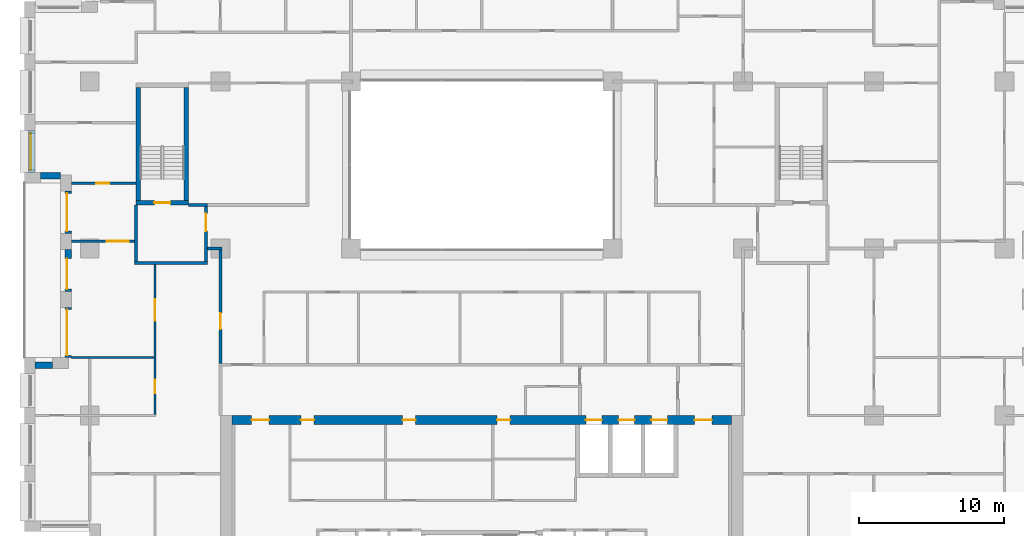
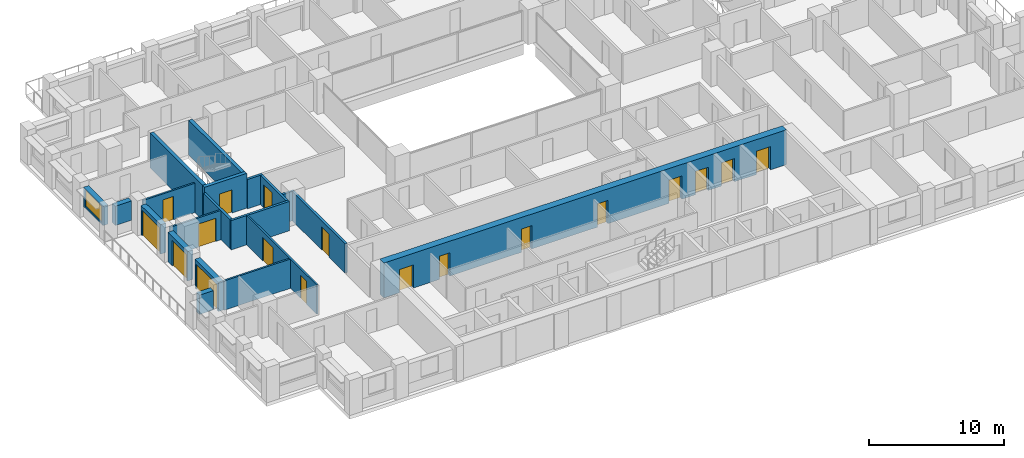
# One storey, part 9 of 17: 20 walls, 18 doors, 1 window, 19 openings.
"""IFC4 building model written with IfcOpenShell, lengths in metres."""

import ifcopenshell
import ifcopenshell.guid

model = None  # the IFC model being written
_history = None  # IfcOwnerHistory: only IFC2X3 demands one
_inside = {}  # id of a spatial element -> (the spatial element, [elements in it])
_under = {}  # id of a project, library or spatial element -> (it, [spatial elements below it])
_declared = {}  # id of a project -> (the project, [libraries it declares])
_typed = {}  # id of a type object -> (the type object, [elements of that type])
_made_of = {}  # id of a material, layer set ... -> (it, [elements and type objects made of it])


def new_model(schema):
    """Start an empty IFC model of exactly this schema.

    Asked for "IFC4X3", IfcOpenShell would pick the latest addendum, in which some entities
    have other attributes; the version numbers below select the first issue.
    IFC2X3 requires an IfcOwnerHistory on every rooted entity: one is made here for all.
    """
    global model, _history
    if schema == "IFC4X3":
        model = ifcopenshell.file(schema_version=(4, 3, 0, 0))
    else:
        model = ifcopenshell.file(schema=schema)
    _inside.clear()
    _under.clear()
    _declared.clear()
    _typed.clear()
    _made_of.clear()
    _history = None
    if model.schema == "IFC2X3":
        org = make("IfcOrganization", Name="unknown")
        user = make(
            "IfcPersonAndOrganization",
            ThePerson=make("IfcPerson", FamilyName="unknown"),
            TheOrganization=org,
        )
        app = make(
            "IfcApplication",
            ApplicationDeveloper=org,
            Version="unknown",
            ApplicationFullName="unknown",
            ApplicationIdentifier="unknown",
        )
        _history = make(
            "IfcOwnerHistory",
            OwningUser=user,
            OwningApplication=app,
            ChangeAction="ADDED",
            CreationDate=0,
        )
    return model


def make(cls, **values):
    """One entity of the class cls with the attributes given. An attribute that is None is left unset."""
    return model.create_entity(
        cls, **{name: value for name, value in values.items() if value is not None}
    )


def rooted(cls, **values):
    """An entity with a GlobalId (a new one), such as an element, a storey or a relation."""
    return make(cls, GlobalId=ifcopenshell.guid.new(), OwnerHistory=_history, **values)


def si_unit(unit_type, name, prefix=None):
    """IfcSIUnit, for example si_unit("LENGTHUNIT", "METRE", prefix="MILLI")."""
    return make("IfcSIUnit", UnitType=unit_type, Prefix=prefix, Name=name)


def assignment(units):
    """IfcUnitAssignment: the units of a project."""
    return None if units is None else make("IfcUnitAssignment", Units=units)


def point(xyz):
    """IfcCartesianPoint."""
    return None if xyz is None else make("IfcCartesianPoint", Coordinates=xyz)


def direction(xyz):
    """IfcDirection."""
    return None if xyz is None else make("IfcDirection", DirectionRatios=xyz)


def frame(location, z_axis=None, x_axis=None):
    """IfcAxis2Placement3D, a coordinate frame: its origin and axes. An axis left out is left unset."""
    return make(
        "IfcAxis2Placement3D",
        Location=point(location),
        Axis=direction(z_axis),
        RefDirection=direction(x_axis),
    )


def frame_2d(location, x_axis=None):
    """IfcAxis2Placement2D, a coordinate frame in the plane: its origin and x axis."""
    return make(
        "IfcAxis2Placement2D", Location=point(location), RefDirection=direction(x_axis)
    )


def origin():
    """The frame at (0, 0, 0) with its axes left unset."""
    return frame((0.0, 0.0, 0.0))


def place(relative_to, where):
    """IfcLocalPlacement: puts the frame where relative to a parent placement (None: the world)."""
    return make(
        "IfcLocalPlacement", PlacementRelTo=relative_to, RelativePlacement=where
    )


def context(
    kind, dimensions, precision=None, world=None, true_north=None, identifier=None
):
    """IfcGeometricRepresentationContext, for example the 3D "Model" context."""
    return make(
        "IfcGeometricRepresentationContext",
        ContextIdentifier=identifier,
        ContextType=kind,
        CoordinateSpaceDimension=dimensions,
        Precision=precision,
        WorldCoordinateSystem=world,
        TrueNorth=true_north,
    )


def subcontext(parent, identifier, kind, view, scale=None):
    """IfcGeometricRepresentationSubContext, for example "Body" below "Model"."""
    return make(
        "IfcGeometricRepresentationSubContext",
        ContextIdentifier=identifier,
        ContextType=kind,
        ParentContext=parent,
        TargetScale=scale,
        TargetView=view,
    )


def project(units=None, contexts=None):
    """IfcProject with its units and contexts."""
    return rooted(
        "IfcProject",
        Name="project",
        RepresentationContexts=contexts,
        UnitsInContext=assignment(units),
    )


def spatial(cls, under=None, at=None, **own):
    """A site, building, storey or space (cls), placed at a placement, below another one or the project."""
    s = rooted(cls, ObjectPlacement=at, **own)
    if under is not None:
        _under.setdefault(under.id(), (under, []))[1].append(s)
    return s


def profile(cls, at=None, kind="AREA", **sizes):
    """A parametric profile (cls). Its sizes go by their IFC names, for example OverallWidth=200.0."""
    return make(cls, ProfileType=kind, Position=at, **sizes)


def rectangle(**sizes):
    """IfcRectangleProfileDef."""
    return profile("IfcRectangleProfileDef", **sizes)


def extrude(swept, where, along, depth):
    """IfcExtrudedAreaSolid: the profile swept, set in the frame where, extruded along a direction by depth."""
    return make(
        "IfcExtrudedAreaSolid",
        SweptArea=swept,
        Position=where,
        ExtrudedDirection=direction(along),
        Depth=depth,
    )


def shape(context_of_items, identifier, shape_type, items):
    """IfcShapeRepresentation: the items that make up one representation, for example the "Body"."""
    return make(
        "IfcShapeRepresentation",
        ContextOfItems=context_of_items,
        RepresentationIdentifier=identifier,
        RepresentationType=shape_type,
        Items=items,
    )


def material(Name=None, Category=None):
    """IfcMaterial."""
    return make("IfcMaterial", Name=Name, Category=Category)


def layer(
    of_material, thickness, ventilated=None, Name=None, Category=None, Priority=None
):
    """IfcMaterialLayer: one layer of a wall or slab, of a material (None: an air gap)."""
    return make(
        "IfcMaterialLayer",
        Material=of_material,
        LayerThickness=thickness,
        IsVentilated=ventilated,
        Name=Name,
        Category=Category,
        Priority=Priority,
    )


def layer_set(layers, Name=None):
    """IfcMaterialLayerSet."""
    return make("IfcMaterialLayerSet", MaterialLayers=layers, LayerSetName=Name)


def made_of(thing, what):
    """Note that an element or type object is made of a material, layer set ...; save() writes the relation."""
    if what is not None:
        _made_of.setdefault(what.id(), (what, []))[1].append(thing)
    return thing


def type_object(cls, material=None, **own):
    """A type object (cls), such as IfcWallType, which elements share."""
    return made_of(rooted(cls, **own), material)


def element(
    cls,
    number,
    at=None,
    inside=None,
    cuts=None,
    type_object=None,
    material=None,
    context=None,
    identifier="Body",
    shape_type=None,
    held_by="IfcProductDefinitionShape",
    body=None,
    shapes=None,
    **own,
):
    """One element of the class cls, such as IfcWall. Its Tag is "e" and its number.

    at: its placement. inside: the storey or other place that contains it. cuts: it is an
    opening in that element (IfcRelVoidsElement). A single representation is given by context,
    identifier, shape_type and body (its items); several are given by shapes. held_by: the class
    of the entity that holds the representations. save() writes the other relations.
    """
    e = rooted(cls, Tag="e%d" % number, ObjectPlacement=at, **own)
    if body is not None:
        shapes = [shape(context, identifier, shape_type, body)]
    if shapes is not None:
        e.Representation = make(held_by, Representations=shapes)
    if inside is not None:
        _inside.setdefault(inside.id(), (inside, []))[1].append(e)
    if cuts is not None:
        rooted(
            "IfcRelVoidsElement", RelatingBuildingElement=cuts, RelatedOpeningElement=e
        )
    if type_object is not None:
        _typed.setdefault(type_object.id(), (type_object, []))[1].append(e)
    return made_of(e, material)


def fill(opening, filler):
    """IfcRelFillsElement: the door or window that sits in an opening."""
    return rooted(
        "IfcRelFillsElement",
        RelatingOpeningElement=opening,
        RelatedBuildingElement=filler,
    )


def aggregate(whole, parts):
    """IfcRelAggregates: a whole, such as a stair, and the parts it consists of."""
    return rooted("IfcRelAggregates", RelatingObject=whole, RelatedObjects=parts)


def save(model, path):
    """Write the relations noted so far, then the file.

    IfcRelAggregates (storeys below a building ...), IfcRelContainedInSpatialStructure (elements
    in a storey), IfcRelDefinesByType, IfcRelAssociatesMaterial and IfcRelDeclares: one each for
    every whole, place, type object, material and project.
    """
    for whole, parts in _under.values():
        aggregate(whole, parts)
    for where, things in _inside.values():
        rooted(
            "IfcRelContainedInSpatialStructure",
            RelatedElements=things,
            RelatingStructure=where,
        )
    for kind, things in _typed.values():
        rooted("IfcRelDefinesByType", RelatedObjects=things, RelatingType=kind)
    for what, things in _made_of.values():
        rooted("IfcRelAssociatesMaterial", RelatedObjects=things, RelatingMaterial=what)
    for by, libraries in _declared.values():
        rooted("IfcRelDeclares", RelatingContext=by, RelatedDefinitions=libraries)
    model.write(path)


model = new_model("IFC4")

# Units and contexts
model_context = context("Model", 3, precision=1e-05, world=origin(), true_north=direction((0.0, 1.0)))
body_context = subcontext(model_context, "Body", "Model", "MODEL_VIEW")
ifc_project = project(units=[si_unit("LENGTHUNIT", "METRE"), si_unit("AREAUNIT", "SQUARE_METRE"), si_unit("VOLUMEUNIT", "CUBIC_METRE"), si_unit("PLANEANGLEUNIT", "RADIAN"), si_unit("MASSUNIT", "GRAM", prefix="KILO")], contexts=[model_context])

# Site, building, storey
site_placement = place(None, origin())
site = spatial("IfcSite", under=ifc_project, at=site_placement, CompositionType="ELEMENT")
building_placement = place(site_placement, origin())
building = spatial("IfcBuilding", under=site, at=building_placement, Name="Brigalow Station Residences", CompositionType="ELEMENT")
storey_placement = place(building_placement, frame((0.0, 0.0, 127.64990234375)))
storey = spatial("IfcBuildingStorey", under=building, at=storey_placement, Name="L37", CompositionType="ELEMENT", Elevation=127.64990234375)

# Wall, opening, window
ifc_material_1 = material(Name="Clay brick masonry", Category="masonry")
ifc_layer_1 = layer(ifc_material_1, 0.449951171875)
ifc_layer_set_1 = layer_set([ifc_layer_1], Name="BRICK INFILL WALL 450")
wall_type_1 = type_object("IfcWallType", Name="BRICK INFILL WALL 450", PredefinedType="SOLIDWALL", material=ifc_layer_set_1)
wall_1_placement = place(storey_placement, frame((5.02490234375, 32.116943359375, 0.900146484375), z_axis=(0.0, 0.0, 1.0), x_axis=(0.0, -1.0, 0.0)))
wall_1 = element("IfcWall", 1, at=wall_1_placement, inside=storey, type_object=wall_type_1, Name="L37/ewall/W-L37-41", PredefinedType="SOLIDWALL", context=body_context, shape_type="SweptSolid", body=[
    extrude(rectangle(XDim=2.866943359375, YDim=0.449951171875, at=frame_2d((1.43359375, 0.0))), origin(), (0.0, 0.0, 1.0), 1.75),
])
opening_1_placement = place(wall_1_placement, frame((0.18359375, 0.0, 0.14990234375)))
opening_1 = element("IfcOpeningElement", 2, at=opening_1_placement, cuts=wall_1, Name="Opening WT-5", PredefinedType="OPENING", context=body_context, shape_type="SweptSolid", body=[
    extrude(rectangle(XDim=2.5, YDim=1.5, at=frame_2d((1.25, 0.75))), frame((0.0, 0.23486328125, 0.0), z_axis=(0.0, -1.0, 0.0), x_axis=(1.0, 0.0, 0.0)), (0.0, 0.0, 1.0), 0.469970703125),
])
ifc_material_2 = material(Name="Anodised aluminium frame with double glazing", Category="aluminium")
window_type = type_object("IfcWindowType", Name="WINDOW 2500x1500", PartitioningType="SINGLE_PANEL", PredefinedType="WINDOW", material=ifc_material_2)
window_placement = place(opening_1_placement, origin())
window = element("IfcWindow", 3, at=window_placement, inside=storey, type_object=window_type, Name="L37/window/W-L37-41", OverallHeight=1.5, OverallWidth=2.5, PartitioningType="SINGLE_PANEL", PredefinedType="WINDOW", context=body_context, shape_type="SweptSolid", body=[
    extrude(rectangle(XDim=2.5, YDim=1.5, at=frame_2d((1.25, 0.75))), frame((0.0, -0.06494140625, 0.0), z_axis=(0.0, -1.0, 0.0), x_axis=(1.0, 0.0, 0.0)), (0.0, 0.0, 1.0), 0.06005859375),
])
fill(opening_1, window)

# Wall
wall_2_placement = place(storey_placement, frame((5.60009765625, 29.02490234375, 0.900146484375), z_axis=(0.0, 0.0, 1.0), x_axis=(1.0, 0.0, 0.0)))
element("IfcWall", 4, at=wall_2_placement, inside=storey, type_object=wall_type_1, Name="L37/ewall/W-L37-42", PredefinedType="SOLIDWALL", context=body_context, shape_type="SweptSolid", body=[
    extrude(rectangle(XDim=1.39990234375, YDim=0.449951171875, at=frame_2d((0.699951171875, 0.0))), origin(), (0.0, 0.0, 1.0), 1.75),
])

# Wall, opening, door
wall_3_placement = place(storey_placement, frame((7.52490234375, 27.949951171875, 0.0), z_axis=(0.0, 0.0, 1.0), x_axis=(0.0, -1.0, 0.0)))
wall_3 = element("IfcWall", 5, at=wall_3_placement, inside=storey, type_object=wall_type_1, Name="L37/ewall/W-L37-43", PredefinedType="SOLIDWALL", context=body_context, shape_type="SweptSolid", body=[
    extrude(rectangle(XDim=2.89990234375, YDim=0.449951171875, at=frame_2d((1.449951171875, 0.0))), origin(), (0.0, 0.0, 1.0), 2.650146484375),
])
opening_2_placement = place(wall_3_placement, frame((0.14990234375, 0.0, 0.0)))
opening_2 = element("IfcOpeningElement", 6, at=opening_2_placement, cuts=wall_3, Name="Opening D-B2600", PredefinedType="OPENING", context=body_context, shape_type="SweptSolid", body=[
    extrude(rectangle(XDim=2.60009765625, YDim=2.300048828125, at=frame_2d((1.300048828125, 1.14990234375))), frame((0.0, 0.23486328125, 0.0), z_axis=(0.0, -1.0, 0.0), x_axis=(1.0, 0.0, 0.0)), (0.0, 0.0, 1.0), 0.469970703125),
])
ifc_material_3 = material(Name="Anodised aluminium frame with double glazing", Category="aluminium")
door_type_1 = type_object("IfcDoorType", Name="BALCONY SLIDING DOOR 2600x2300", OperationType="SLIDING_TO_LEFT", PredefinedType="DOOR", material=ifc_material_3)
door_1_placement = place(opening_2_placement, origin())
door_1 = element("IfcDoor", 7, at=door_1_placement, inside=storey, type_object=door_type_1, Name="L37/balcony-door/W-L37-43", OperationType="SLIDING_TO_LEFT", OverallHeight=2.300048828125, OverallWidth=2.60009765625, PredefinedType="DOOR", context=body_context, shape_type="SweptSolid", body=[
    extrude(rectangle(XDim=2.60009765625, YDim=2.300048828125, at=frame_2d((1.300048828125, 1.14990234375))), frame((0.0, -0.06982421875, 0.0), z_axis=(0.0, -1.0, 0.0), x_axis=(1.0, 0.0, 0.0)), (0.0, 0.0, 1.0), 0.050048828125),
])
fill(opening_2, door_1)

wall_4_placement = place(storey_placement, frame((7.52490234375, 23.949951171875, 0.0), z_axis=(0.0, 0.0, 1.0), x_axis=(0.0, -1.0, 0.0)))
wall_4 = element("IfcWall", 8, at=wall_4_placement, inside=storey, type_object=wall_type_1, Name="L37/ewall/W-L37-44", PredefinedType="SOLIDWALL", context=body_context, shape_type="SweptSolid", body=[
    extrude(rectangle(XDim=2.89990234375, YDim=0.449951171875, at=frame_2d((1.449951171875, 0.0))), origin(), (0.0, 0.0, 1.0), 2.650146484375),
])
opening_3_placement = place(wall_4_placement, frame((0.635009765625, 0.0, 0.0)))
opening_3 = element("IfcOpeningElement", 9, at=opening_3_placement, cuts=wall_4, Name="Opening D-B2100", PredefinedType="OPENING", context=body_context, shape_type="SweptSolid", body=[
    extrude(rectangle(XDim=2.10009765625, YDim=2.300048828125, at=frame_2d((1.050048828125, 1.14990234375))), frame((0.0, 0.23486328125, 0.0), z_axis=(0.0, -1.0, 0.0), x_axis=(1.0, 0.0, 0.0)), (0.0, 0.0, 1.0), 0.469970703125),
])
ifc_material_4 = material(Name="Anodised aluminium frame with double glazing", Category="aluminium")
door_type_2 = type_object("IfcDoorType", Name="BALCONY SLIDING DOOR 2100x2300", OperationType="SLIDING_TO_LEFT", PredefinedType="DOOR", material=ifc_material_4)
door_2_placement = place(opening_3_placement, origin())
door_2 = element("IfcDoor", 10, at=door_2_placement, inside=storey, type_object=door_type_2, Name="L37/balcony-door/W-L37-44", OperationType="SLIDING_TO_LEFT", OverallHeight=2.300048828125, OverallWidth=2.10009765625, PredefinedType="DOOR", context=body_context, shape_type="SweptSolid", body=[
    extrude(rectangle(XDim=2.10009765625, YDim=2.300048828125, at=frame_2d((1.050048828125, 1.14990234375))), frame((0.0, -0.06982421875, 0.0), z_axis=(0.0, -1.0, 0.0), x_axis=(1.0, 0.0, 0.0)), (0.0, 0.0, 1.0), 0.050048828125),
])
fill(opening_3, door_2)

wall_5_placement = place(storey_placement, frame((7.52490234375, 19.949951171875, 0.0), z_axis=(0.0, 0.0, 1.0), x_axis=(0.0, -1.0, 0.0)))
wall_5 = element("IfcWall", 11, at=wall_5_placement, inside=storey, type_object=wall_type_1, Name="L37/ewall/W-L37-45", PredefinedType="SOLIDWALL", context=body_context, shape_type="SweptSolid", body=[
    extrude(rectangle(XDim=3.449951171875, YDim=0.449951171875, at=frame_2d((1.72509765625, 0.0))), origin(), (0.0, 0.0, 1.0), 2.650146484375),
])
opening_4_placement = place(wall_5_placement, frame((0.14990234375, 0.0, 0.0)))
opening_4 = element("IfcOpeningElement", 12, at=opening_4_placement, cuts=wall_5, Name="Opening D-B3150", PredefinedType="OPENING", context=body_context, shape_type="SweptSolid", body=[
    extrude(rectangle(XDim=3.14990234375, YDim=2.300048828125, at=frame_2d((1.574951171875, 1.14990234375))), frame((0.0, 0.23486328125, 0.0), z_axis=(0.0, -1.0, 0.0), x_axis=(1.0, 0.0, 0.0)), (0.0, 0.0, 1.0), 0.469970703125),
])
ifc_material_5 = material(Name="Anodised aluminium frame with double glazing", Category="aluminium")
door_type_3 = type_object("IfcDoorType", Name="BALCONY SLIDING DOOR 3150x2300", OperationType="SLIDING_TO_LEFT", PredefinedType="DOOR", material=ifc_material_5)
door_3_placement = place(opening_4_placement, origin())
door_3 = element("IfcDoor", 13, at=door_3_placement, inside=storey, type_object=door_type_3, Name="L37/balcony-door/W-L37-45", OperationType="SLIDING_TO_LEFT", OverallHeight=2.300048828125, OverallWidth=3.14990234375, PredefinedType="DOOR", context=body_context, shape_type="SweptSolid", body=[
    extrude(rectangle(XDim=3.14990234375, YDim=2.300048828125, at=frame_2d((1.574951171875, 1.14990234375))), frame((0.0, -0.06982421875, 0.0), z_axis=(0.0, -1.0, 0.0), x_axis=(1.0, 0.0, 0.0)), (0.0, 0.0, 1.0), 0.050048828125),
])
fill(opening_4, door_3)

# Wall
wall_6_placement = place(storey_placement, frame((6.449951171875, 15.97509765625, 0.900146484375), z_axis=(0.0, 0.0, 1.0), x_axis=(-1.0, 0.0, 0.0)))
element("IfcWall", 14, at=wall_6_placement, inside=storey, type_object=wall_type_1, Name="L37/ewall/W-L37-46", PredefinedType="SOLIDWALL", context=body_context, shape_type="SweptSolid", body=[
    extrude(rectangle(XDim=1.199951171875, YDim=0.449951171875, at=frame_2d((0.60009765625, 0.0))), origin(), (0.0, 0.0, 1.0), 1.75),
])

# Wall, opening, door
ifc_material_6 = material(Name="Concrete C65", Category="concrete")
ifc_layer_2 = layer(ifc_material_6, 0.300048828125)
ifc_layer_set_2 = layer_set([ifc_layer_2], Name="CORE SHEAR WALL 300 C65")
wall_type_2 = type_object("IfcWallType", Name="CORE SHEAR WALL 300 C65", PredefinedType="SHEAR", material=ifc_layer_set_2)
wall_7_placement = place(storey_placement, frame((12.199951171875, 27.14990234375, 0.0), z_axis=(0.0, 0.0, 1.0), x_axis=(1.0, 0.0, 0.0)))
wall_7 = element("IfcWall", 15, at=wall_7_placement, inside=storey, type_object=wall_type_2, Name="CORE WALL ST-S1-S L37", PredefinedType="SHEAR", context=body_context, shape_type="SweptSolid", body=[
    extrude(rectangle(XDim=3.60009765625, YDim=0.300048828125, at=frame_2d((1.800048828125, 0.0))), origin(), (0.0, 0.0, 1.0), 3.150146484375),
])
opening_5_placement = place(wall_7_placement, frame((1.25, 0.0, 0.0)))
opening_5 = element("IfcOpeningElement", 16, at=opening_5_placement, cuts=wall_7, Name="Opening D-5015", PredefinedType="OPENING", context=body_context, shape_type="SweptSolid", body=[
    extrude(rectangle(XDim=1.10009765625, YDim=2.10009765625, at=frame_2d((0.550048828125, 1.050048828125))), frame((0.0, 0.16015625, 0.0), z_axis=(0.0, -1.0, 0.0), x_axis=(1.0, 0.0, 0.0)), (0.0, 0.0, 1.0), 0.320068359375),
])
ifc_material_7 = material(Name="Steel fire door leaf in steel frame", Category="steel")
door_type_4 = type_object("IfcDoorType", Name="STAIR DOOR 1100 x 2100 FD60S", OperationType="SINGLE_SWING_LEFT", PredefinedType="DOOR", material=ifc_material_7)
door_4_placement = place(opening_5_placement, origin())
door_4 = element("IfcDoor", 17, at=door_4_placement, inside=storey, type_object=door_type_4, Name="D-5015", OperationType="SINGLE_SWING_LEFT", OverallHeight=2.10009765625, OverallWidth=1.10009765625, PredefinedType="DOOR", context=body_context, shape_type="SweptSolid", body=[
    extrude(rectangle(XDim=1.10009765625, YDim=2.10009765625, at=frame_2d((0.550048828125, 1.050048828125))), frame((0.0, 0.02490234375, 0.0), z_axis=(0.0, -1.0, 0.0), x_axis=(1.0, 0.0, 0.0)), (0.0, 0.0, 1.0), 0.050048828125),
])
fill(opening_5, door_4)

# Walls
for number, where, z_axis, x_axis, name in (
    (18, (12.35009765625, 27.300048828125, 0.0), (0.0, 0.0, 1.0), (0.0, 1.0, 0.0), "CORE WALL ST-S1-W L37"),
    (19, (15.64990234375, 27.300048828125, 0.0), (0.0, 0.0, 1.0), (0.0, 1.0, 0.0), "CORE WALL ST-S1-E L37"),
):
    element("IfcWall", number, at=place(storey_placement, frame(where, z_axis=z_axis, x_axis=x_axis)), inside=storey, type_object=wall_type_2, Name=name, PredefinedType="SHEAR", context=body_context, shape_type="SweptSolid", body=[
        extrude(rectangle(XDim=7.800048828125, YDim=0.300048828125, at=frame_2d((3.89990234375, 0.0))), origin(), (0.0, 0.0, 1.0), 3.150146484375),
    ])

# Wall, openings, doors
ifc_material_8 = material(Name="Concrete C65", Category="concrete")
ifc_layer_3 = layer(ifc_material_8, 0.60009765625)
ifc_layer_set_3 = layer_set([ifc_layer_3], Name="CORE SHEAR WALL 600 C65")
wall_type_3 = type_object("IfcWallType", Name="CORE SHEAR WALL 600 C65", PredefinedType="SHEAR", material=ifc_layer_set_3)
wall_8_placement = place(storey_placement, frame((18.800048828125, 12.199951171875, 0.0), z_axis=(0.0, 0.0, 1.0), x_axis=(1.0, 0.0, 0.0)))
wall_8 = element("IfcWall", 20, at=wall_8_placement, inside=storey, type_object=wall_type_3, Name="CORE WALL OUT-N L37", PredefinedType="SHEAR", context=body_context, shape_type="SweptSolid", body=[
    extrude(rectangle(XDim=34.39990234375, YDim=0.60009765625, at=frame_2d((17.199951171875, 0.0))), origin(), (0.0, 0.0, 1.0), 3.150146484375),
])
opening_6_placement = place(wall_8_placement, frame((24.375, 0.0, 0.0)))
opening_6 = element("IfcOpeningElement", 21, at=opening_6_placement, cuts=wall_8, Name="Opening LD-LF1", PredefinedType="OPENING", context=body_context, shape_type="SweptSolid", body=[
    extrude(rectangle(XDim=1.10009765625, YDim=2.10009765625, at=frame_2d((0.550048828125, 1.050048828125))), frame((0.0, 0.31005859375, 0.0), z_axis=(0.0, -1.0, 0.0), x_axis=(1.0, 0.0, 0.0)), (0.0, 0.0, 1.0), 0.6201171875),
])
opening_7_placement = place(wall_8_placement, frame((26.625, 0.0, 0.0)))
opening_7 = element("IfcOpeningElement", 22, at=opening_7_placement, cuts=wall_8, Name="Opening LD-LF2", PredefinedType="OPENING", context=body_context, shape_type="SweptSolid", body=[
    extrude(rectangle(XDim=1.10009765625, YDim=2.10009765625, at=frame_2d((0.550048828125, 1.050048828125))), frame((0.0, 0.31005859375, 0.0), z_axis=(0.0, -1.0, 0.0), x_axis=(1.0, 0.0, 0.0)), (0.0, 0.0, 1.0), 0.6201171875),
])
opening_8_placement = place(wall_8_placement, frame((28.875, 0.0, 0.0)))
opening_8 = element("IfcOpeningElement", 23, at=opening_8_placement, cuts=wall_8, Name="Opening LD-LG1", PredefinedType="OPENING", context=body_context, shape_type="SweptSolid", body=[
    extrude(rectangle(XDim=1.10009765625, YDim=2.10009765625, at=frame_2d((0.550048828125, 1.050048828125))), frame((0.0, 0.31005859375, 0.0), z_axis=(0.0, -1.0, 0.0), x_axis=(1.0, 0.0, 0.0)), (0.0, 0.0, 1.0), 0.6201171875),
])
opening_9_placement = place(wall_8_placement, frame((4.75, 0.0, 0.0)))
opening_9 = element("IfcOpeningElement", 24, at=opening_9_placement, cuts=wall_8, Name="Opening D-5118", PredefinedType="OPENING", context=body_context, shape_type="SweptSolid", body=[
    extrude(rectangle(XDim=0.89990234375, YDim=2.10009765625, at=frame_2d((0.449951171875, 1.050048828125))), frame((0.0, 0.31005859375, 0.0), z_axis=(0.0, -1.0, 0.0), x_axis=(1.0, 0.0, 0.0)), (0.0, 0.0, 1.0), 0.6201171875),
])
opening_10_placement = place(wall_8_placement, frame((11.75, 0.0, 0.0)))
opening_10 = element("IfcOpeningElement", 25, at=opening_10_placement, cuts=wall_8, Name="Opening D-5122", PredefinedType="OPENING", context=body_context, shape_type="SweptSolid", body=[
    extrude(rectangle(XDim=0.89990234375, YDim=2.10009765625, at=frame_2d((0.449951171875, 1.050048828125))), frame((0.0, 0.31005859375, 0.0), z_axis=(0.0, -1.0, 0.0), x_axis=(1.0, 0.0, 0.0)), (0.0, 0.0, 1.0), 0.6201171875),
])
opening_11_placement = place(wall_8_placement, frame((18.25, 0.0, 0.0)))
opening_11 = element("IfcOpeningElement", 26, at=opening_11_placement, cuts=wall_8, Name="Opening D-5119", PredefinedType="OPENING", context=body_context, shape_type="SweptSolid", body=[
    extrude(rectangle(XDim=0.89990234375, YDim=2.10009765625, at=frame_2d((0.449951171875, 1.050048828125))), frame((0.0, 0.31005859375, 0.0), z_axis=(0.0, -1.0, 0.0), x_axis=(1.0, 0.0, 0.0)), (0.0, 0.0, 1.0), 0.6201171875),
])
opening_12_placement = place(wall_8_placement, frame((1.35009765625, 0.0, 0.0)))
opening_12 = element("IfcOpeningElement", 27, at=opening_12_placement, cuts=wall_8, Name="Opening D-5011", PredefinedType="OPENING", context=body_context, shape_type="SweptSolid", body=[
    extrude(rectangle(XDim=1.199951171875, YDim=2.10009765625, at=frame_2d((0.60009765625, 1.050048828125))), frame((0.0, 0.31005859375, 0.0), z_axis=(0.0, -1.0, 0.0), x_axis=(1.0, 0.0, 0.0)), (0.0, 0.0, 1.0), 0.6201171875),
])
opening_13_placement = place(wall_8_placement, frame((31.85009765625, 0.0, 0.0)))
opening_13 = element("IfcOpeningElement", 28, at=opening_13_placement, cuts=wall_8, Name="Opening D-5012", PredefinedType="OPENING", context=body_context, shape_type="SweptSolid", body=[
    extrude(rectangle(XDim=1.199951171875, YDim=2.10009765625, at=frame_2d((0.60009765625, 1.050048828125))), frame((0.0, 0.31005859375, 0.0), z_axis=(0.0, -1.0, 0.0), x_axis=(1.0, 0.0, 0.0)), (0.0, 0.0, 1.0), 0.6201171875),
])
ifc_material_9 = material(Name="Steel fire door leaf in steel frame", Category="steel")
door_type_5 = type_object("IfcDoorType", Name="CORE CORRIDOR DOOR 1200 x 2100 FD60S", OperationType="SINGLE_SWING_LEFT", PredefinedType="DOOR", material=ifc_material_9)
door_5_placement = place(opening_12_placement, frame((1.199951171875, 0.0, 0.0), z_axis=(0.0, 0.0, 1.0), x_axis=(-1.0, 0.0, 0.0)))
door_5 = element("IfcDoor", 29, at=door_5_placement, inside=storey, type_object=door_type_5, Name="D-5011", OperationType="SINGLE_SWING_LEFT", OverallHeight=2.10009765625, OverallWidth=1.199951171875, PredefinedType="DOOR", context=body_context, shape_type="SweptSolid", body=[
    extrude(rectangle(XDim=1.199951171875, YDim=2.10009765625, at=frame_2d((0.60009765625, 1.050048828125))), frame((0.0, 0.02490234375, 0.0), z_axis=(0.0, -1.0, 0.0), x_axis=(1.0, 0.0, 0.0)), (0.0, 0.0, 1.0), 0.050048828125),
])
fill(opening_12, door_5)
door_6_placement = place(opening_13_placement, frame((1.199951171875, 0.0, 0.0), z_axis=(0.0, 0.0, 1.0), x_axis=(-1.0, 0.0, 0.0)))
door_6 = element("IfcDoor", 30, at=door_6_placement, inside=storey, type_object=door_type_5, Name="D-5012", OperationType="SINGLE_SWING_LEFT", OverallHeight=2.10009765625, OverallWidth=1.199951171875, PredefinedType="DOOR", context=body_context, shape_type="SweptSolid", body=[
    extrude(rectangle(XDim=1.199951171875, YDim=2.10009765625, at=frame_2d((0.60009765625, 1.050048828125))), frame((0.0, 0.02490234375, 0.0), z_axis=(0.0, -1.0, 0.0), x_axis=(1.0, 0.0, 0.0)), (0.0, 0.0, 1.0), 0.050048828125),
])
fill(opening_13, door_6)
ifc_material_10 = material(Name="Stainless steel sliding door leaves", Category="steel")
door_type_6 = type_object("IfcDoorType", Name="LIFT LANDING DOOR 1100 x 2100", OperationType="DOUBLE_DOOR_SLIDING", PredefinedType="DOOR", material=ifc_material_10)
door_7_placement = place(opening_6_placement, origin())
door_7 = element("IfcDoor", 31, at=door_7_placement, inside=storey, type_object=door_type_6, Name="LANDING DOOR LF1", OperationType="DOUBLE_DOOR_SLIDING", OverallHeight=2.10009765625, OverallWidth=1.10009765625, PredefinedType="DOOR", context=body_context, shape_type="SweptSolid", body=[
    extrude(rectangle(XDim=1.10009765625, YDim=2.10009765625, at=frame_2d((0.550048828125, 1.050048828125))), frame((0.0, 0.02490234375, 0.0), z_axis=(0.0, -1.0, 0.0), x_axis=(1.0, 0.0, 0.0)), (0.0, 0.0, 1.0), 0.050048828125),
])
fill(opening_6, door_7)
door_8_placement = place(opening_7_placement, origin())
door_8 = element("IfcDoor", 32, at=door_8_placement, inside=storey, type_object=door_type_6, Name="LANDING DOOR LF2", OperationType="DOUBLE_DOOR_SLIDING", OverallHeight=2.10009765625, OverallWidth=1.10009765625, PredefinedType="DOOR", context=body_context, shape_type="SweptSolid", body=[
    extrude(rectangle(XDim=1.10009765625, YDim=2.10009765625, at=frame_2d((0.550048828125, 1.050048828125))), frame((0.0, 0.02490234375, 0.0), z_axis=(0.0, -1.0, 0.0), x_axis=(1.0, 0.0, 0.0)), (0.0, 0.0, 1.0), 0.050048828125),
])
fill(opening_7, door_8)
door_9_placement = place(opening_8_placement, origin())
door_9 = element("IfcDoor", 33, at=door_9_placement, inside=storey, type_object=door_type_6, Name="LANDING DOOR LG1", OperationType="DOUBLE_DOOR_SLIDING", OverallHeight=2.10009765625, OverallWidth=1.10009765625, PredefinedType="DOOR", context=body_context, shape_type="SweptSolid", body=[
    extrude(rectangle(XDim=1.10009765625, YDim=2.10009765625, at=frame_2d((0.550048828125, 1.050048828125))), frame((0.0, 0.02490234375, 0.0), z_axis=(0.0, -1.0, 0.0), x_axis=(1.0, 0.0, 0.0)), (0.0, 0.0, 1.0), 0.050048828125),
])
fill(opening_8, door_9)
ifc_material_11 = material(Name="Steel door leaf in steel frame", Category="steel")
door_type_7 = type_object("IfcDoorType", Name="SERVICE ROOM DOOR 900 x 2100 FD60", OperationType="SINGLE_SWING_LEFT", PredefinedType="DOOR", material=ifc_material_11)
door_10_placement = place(opening_9_placement, frame((0.89990234375, 0.0, 0.0), z_axis=(0.0, 0.0, 1.0), x_axis=(-1.0, 0.0, 0.0)))
door_10 = element("IfcDoor", 34, at=door_10_placement, inside=storey, type_object=door_type_7, Name="D-5118", OperationType="SINGLE_SWING_RIGHT", OverallHeight=2.10009765625, OverallWidth=0.89990234375, PredefinedType="DOOR", context=body_context, shape_type="SweptSolid", body=[
    extrude(rectangle(XDim=0.89990234375, YDim=2.10009765625, at=frame_2d((0.449951171875, 1.050048828125))), frame((0.0, 0.02490234375, 0.0), z_axis=(0.0, -1.0, 0.0), x_axis=(1.0, 0.0, 0.0)), (0.0, 0.0, 1.0), 0.050048828125),
])
fill(opening_9, door_10)
door_11_placement = place(opening_10_placement, frame((0.89990234375, 0.0, 0.0), z_axis=(0.0, 0.0, 1.0), x_axis=(-1.0, 0.0, 0.0)))
door_11 = element("IfcDoor", 35, at=door_11_placement, inside=storey, type_object=door_type_7, Name="D-5122", OperationType="SINGLE_SWING_RIGHT", OverallHeight=2.10009765625, OverallWidth=0.89990234375, PredefinedType="DOOR", context=body_context, shape_type="SweptSolid", body=[
    extrude(rectangle(XDim=0.89990234375, YDim=2.10009765625, at=frame_2d((0.449951171875, 1.050048828125))), frame((0.0, 0.02490234375, 0.0), z_axis=(0.0, -1.0, 0.0), x_axis=(1.0, 0.0, 0.0)), (0.0, 0.0, 1.0), 0.050048828125),
])
fill(opening_10, door_11)
door_12_placement = place(opening_11_placement, frame((0.89990234375, 0.0, 0.0), z_axis=(0.0, 0.0, 1.0), x_axis=(-1.0, 0.0, 0.0)))
door_12 = element("IfcDoor", 36, at=door_12_placement, inside=storey, type_object=door_type_7, Name="D-5119", OperationType="SINGLE_SWING_RIGHT", OverallHeight=2.10009765625, OverallWidth=0.89990234375, PredefinedType="DOOR", context=body_context, shape_type="SweptSolid", body=[
    extrude(rectangle(XDim=0.89990234375, YDim=2.10009765625, at=frame_2d((0.449951171875, 1.050048828125))), frame((0.0, 0.02490234375, 0.0), z_axis=(0.0, -1.0, 0.0), x_axis=(1.0, 0.0, 0.0)), (0.0, 0.0, 1.0), 0.050048828125),
])
fill(opening_11, door_12)

# Walls
ifc_material_12 = material(Name="Concrete blockwork", Category="masonry")
ifc_layer_4 = layer(ifc_material_12, 0.199951171875)
ifc_layer_set_4 = layer_set([ifc_layer_4], Name="FIRE RATED CORE PARTITION 200")
wall_type_4 = type_object("IfcWallType", Name="FIRE RATED CORE PARTITION 200", PredefinedType="PARTITIONING", material=ifc_layer_set_4)
wall_9_placement = place(storey_placement, frame((12.10009765625, 23.0, 0.0), z_axis=(0.0, 0.0, 1.0), x_axis=(1.0, 0.0, 0.0)))
element("IfcWall", 37, at=wall_9_placement, inside=storey, type_object=wall_type_4, Name="PW-5023", PredefinedType="PARTITIONING", context=body_context, shape_type="SweptSolid", body=[
    extrude(rectangle(XDim=5.0, YDim=0.199951171875, at=frame_2d((2.5, 0.0))), origin(), (0.0, 0.0, 1.0), 2.650146484375),
])
wall_10_placement = place(storey_placement, frame((15.800048828125, 27.0, 0.0), z_axis=(0.0, 0.0, 1.0), x_axis=(1.0, 0.0, 0.0)))
element("IfcWall", 38, at=wall_10_placement, inside=storey, type_object=wall_type_4, Name="PW-5025", PredefinedType="PARTITIONING", context=body_context, shape_type="SweptSolid", body=[
    extrude(rectangle(XDim=1.300048828125, YDim=0.199951171875, at=frame_2d((0.64990234375, 0.0))), origin(), (0.0, 0.0, 1.0), 2.650146484375),
])
wall_11_placement = place(storey_placement, frame((12.199951171875, 23.10009765625, 0.0), z_axis=(0.0, 0.0, 1.0), x_axis=(0.0, 1.0, 0.0)))
element("IfcWall", 39, at=wall_11_placement, inside=storey, type_object=wall_type_4, Name="PW-5034", PredefinedType="PARTITIONING", context=body_context, shape_type="SweptSolid", body=[
    extrude(rectangle(XDim=3.89990234375, YDim=0.199951171875, at=frame_2d((1.949951171875, 0.0))), origin(), (0.0, 0.0, 1.0), 2.650146484375),
])

# Wall, opening, door
wall_12_placement = place(storey_placement, frame((17.0, 23.10009765625, 0.0), z_axis=(0.0, 0.0, 1.0), x_axis=(0.0, 1.0, 0.0)))
wall_12 = element("IfcWall", 40, at=wall_12_placement, inside=storey, type_object=wall_type_4, Name="PW-5035", PredefinedType="PARTITIONING", context=body_context, shape_type="SweptSolid", body=[
    extrude(rectangle(XDim=3.7998046875, YDim=0.199951171875, at=frame_2d((1.89990234375, 0.0))), origin(), (0.0, 0.0, 1.0), 2.650146484375),
])
opening_14_placement = place(wall_12_placement, frame((2.10009765625, 0.0, 0.0)))
opening_14 = element("IfcOpeningElement", 41, at=opening_14_placement, cuts=wall_12, Name="Opening D-5016", PredefinedType="OPENING", context=body_context, shape_type="SweptSolid", body=[
    extrude(rectangle(XDim=1.199951171875, YDim=2.10009765625, at=frame_2d((0.60009765625, 1.050048828125))), frame((0.0, 0.10986328125, 0.0), z_axis=(0.0, -1.0, 0.0), x_axis=(1.0, 0.0, 0.0)), (0.0, 0.0, 1.0), 0.219970703125),
])
ifc_material_13 = material(Name="Steel fire door leaf in steel frame", Category="steel")
door_type_8 = type_object("IfcDoorType", Name="STAIR LOBBY DOOR 1200 x 2100 FD60S", OperationType="SINGLE_SWING_LEFT", PredefinedType="DOOR", material=ifc_material_13)
door_13_placement = place(opening_14_placement, origin())
door_13 = element("IfcDoor", 42, at=door_13_placement, inside=storey, type_object=door_type_8, Name="D-5016", OperationType="SINGLE_SWING_RIGHT", OverallHeight=2.10009765625, OverallWidth=1.199951171875, PredefinedType="DOOR", context=body_context, shape_type="SweptSolid", body=[
    extrude(rectangle(XDim=1.199951171875, YDim=2.10009765625, at=frame_2d((0.60009765625, 1.050048828125))), frame((0.0, 0.02490234375, 0.0), z_axis=(0.0, -1.0, 0.0), x_axis=(1.0, 0.0, 0.0)), (0.0, 0.0, 1.0), 0.050048828125),
])
fill(opening_14, door_13)

# Wall
ifc_material_14 = material(Name="Plasterboard on steel stud partition", Category="steel")
ifc_layer_5 = layer(ifc_material_14, 0.14990234375)
ifc_layer_set_5 = layer_set([ifc_layer_5], Name="FLAT PARTITION 150")
wall_type_5 = type_object("IfcWallType", Name="FLAT PARTITION 150", PredefinedType="PARTITIONING", material=ifc_layer_set_5)
wall_13_placement = place(storey_placement, frame((7.75, 16.5, 0.0), z_axis=(0.0, 0.0, 1.0), x_axis=(1.0, 0.0, 0.0)))
element("IfcWall", 43, at=wall_13_placement, inside=storey, type_object=wall_type_5, Name="PW-2F13", PredefinedType="PARTITIONING", context=body_context, shape_type="SweptSolid", body=[
    extrude(rectangle(XDim=5.675048828125, YDim=0.14990234375, at=frame_2d((2.83740234375, 0.0))), origin(), (0.0, 0.0, 1.0), 2.650146484375),
])

# Wall, opening, door
wall_14_placement = place(storey_placement, frame((7.75, 24.5, 0.0), z_axis=(0.0, 0.0, 1.0), x_axis=(1.0, 0.0, 0.0)))
wall_14 = element("IfcWall", 44, at=wall_14_placement, inside=storey, type_object=wall_type_5, Name="PW-2F17", PredefinedType="PARTITIONING", context=body_context, shape_type="SweptSolid", body=[
    extrude(rectangle(XDim=4.35009765625, YDim=0.14990234375, at=frame_2d((2.175048828125, 0.0))), origin(), (0.0, 0.0, 1.0), 2.650146484375),
])
opening_15_placement = place(wall_14_placement, frame((2.425048828125, 0.0, 0.0)))
opening_15 = element("IfcOpeningElement", 45, at=opening_15_placement, cuts=wall_14, Name="Opening D-2F10", PredefinedType="OPENING", context=body_context, shape_type="SweptSolid", body=[
    extrude(rectangle(XDim=1.5, YDim=2.10009765625, at=frame_2d((0.75, 1.050048828125))), frame((0.0, 0.0849609375, 0.0), z_axis=(0.0, -1.0, 0.0), x_axis=(1.0, 0.0, 0.0)), (0.0, 0.0, 1.0), 0.169921875),
])
ifc_material_15 = material(Name="Solid-core timber door leaf", Category="wood")
door_type_9 = type_object("IfcDoorType", Name="INTERNAL DOUBLE DOOR 1500 x 2100", OperationType="DOUBLE_DOOR_SINGLE_SWING", PredefinedType="DOOR", material=ifc_material_15)
door_14_placement = place(opening_15_placement, origin())
door_14 = element("IfcDoor", 46, at=door_14_placement, inside=storey, type_object=door_type_9, Name="D-2F10", OperationType="DOUBLE_DOOR_SINGLE_SWING", OverallHeight=2.10009765625, OverallWidth=1.5, PredefinedType="DOOR", context=body_context, shape_type="SweptSolid", body=[
    extrude(rectangle(XDim=1.5, YDim=2.10009765625, at=frame_2d((0.75, 1.050048828125))), frame((0.0, 0.02490234375, 0.0), z_axis=(0.0, -1.0, 0.0), x_axis=(1.0, 0.0, 0.0)), (0.0, 0.0, 1.0), 0.050048828125),
])
fill(opening_15, door_14)

wall_15_placement = place(storey_placement, frame((7.75, 28.5, 0.0), z_axis=(0.0, 0.0, 1.0), x_axis=(1.0, 0.0, 0.0)))
wall_15 = element("IfcWall", 47, at=wall_15_placement, inside=storey, type_object=wall_type_5, Name="PW-2F20", PredefinedType="PARTITIONING", context=body_context, shape_type="SweptSolid", body=[
    extrude(rectangle(XDim=4.449951171875, YDim=0.14990234375, at=frame_2d((2.22509765625, 0.0))), origin(), (0.0, 0.0, 1.0), 2.650146484375),
])
opening_16_placement = place(wall_15_placement, frame((1.699951171875, 0.0, 0.0)))
opening_16 = element("IfcOpeningElement", 48, at=opening_16_placement, cuts=wall_15, Name="Opening D-2F11", PredefinedType="OPENING", context=body_context, shape_type="SweptSolid", body=[
    extrude(rectangle(XDim=0.89990234375, YDim=2.10009765625, at=frame_2d((0.449951171875, 1.050048828125))), frame((0.0, 0.0849609375, 0.0), z_axis=(0.0, -1.0, 0.0), x_axis=(1.0, 0.0, 0.0)), (0.0, 0.0, 1.0), 0.169921875),
])
ifc_material_16 = material(Name="Solid-core timber door leaf", Category="wood")
door_type_10 = type_object("IfcDoorType", Name="INTERNAL DOOR 900 x 2100", OperationType="SINGLE_SWING_LEFT", PredefinedType="DOOR", material=ifc_material_16)
door_15_placement = place(opening_16_placement, frame((0.89990234375, 0.0, 0.0), z_axis=(0.0, 0.0, 1.0), x_axis=(-1.0, 0.0, 0.0)))
door_15 = element("IfcDoor", 49, at=door_15_placement, inside=storey, type_object=door_type_10, Name="D-2F11", OperationType="SINGLE_SWING_RIGHT", OverallHeight=2.10009765625, OverallWidth=0.89990234375, PredefinedType="DOOR", context=body_context, shape_type="SweptSolid", body=[
    extrude(rectangle(XDim=0.89990234375, YDim=2.10009765625, at=frame_2d((0.449951171875, 1.050048828125))), frame((0.0, 0.02490234375, 0.0), z_axis=(0.0, -1.0, 0.0), x_axis=(1.0, 0.0, 0.0)), (0.0, 0.0, 1.0), 0.050048828125),
])
fill(opening_16, door_15)

# Wall, openings, doors
wall_16_placement = place(storey_placement, frame((13.5, 12.574951171875, 0.0), z_axis=(0.0, 0.0, 1.0), x_axis=(0.0, 1.0, 0.0)))
wall_16 = element("IfcWall", 50, at=wall_16_placement, inside=storey, type_object=wall_type_5, Name="PW-2F51", PredefinedType="PARTITIONING", context=body_context, shape_type="SweptSolid", body=[
    extrude(rectangle(XDim=10.324951171875, YDim=0.14990234375, at=frame_2d((5.16259765625, 0.0))), origin(), (0.0, 0.0, 1.0), 2.650146484375),
])
opening_17_placement = place(wall_16_placement, frame((1.47509765625, 0.0, 0.0)))
opening_17 = element("IfcOpeningElement", 51, at=opening_17_placement, cuts=wall_16, Name="Opening D-2F08", PredefinedType="OPENING", context=body_context, shape_type="SweptSolid", body=[
    extrude(rectangle(XDim=0.89990234375, YDim=2.10009765625, at=frame_2d((0.449951171875, 1.050048828125))), frame((0.0, 0.0849609375, 0.0), z_axis=(0.0, -1.0, 0.0), x_axis=(1.0, 0.0, 0.0)), (0.0, 0.0, 1.0), 0.169921875),
])
opening_18_placement = place(wall_16_placement, frame((6.449951171875, 0.0, 0.0)))
opening_18 = element("IfcOpeningElement", 52, at=opening_18_placement, cuts=wall_16, Name="Opening D-2F09", PredefinedType="OPENING", context=body_context, shape_type="SweptSolid", body=[
    extrude(rectangle(XDim=1.5, YDim=2.10009765625, at=frame_2d((0.75, 1.050048828125))), frame((0.0, 0.0849609375, 0.0), z_axis=(0.0, -1.0, 0.0), x_axis=(1.0, 0.0, 0.0)), (0.0, 0.0, 1.0), 0.169921875),
])
door_16_placement = place(opening_17_placement, origin())
door_16 = element("IfcDoor", 53, at=door_16_placement, inside=storey, type_object=door_type_10, Name="D-2F08", OperationType="SINGLE_SWING_RIGHT", OverallHeight=2.10009765625, OverallWidth=0.89990234375, PredefinedType="DOOR", context=body_context, shape_type="SweptSolid", body=[
    extrude(rectangle(XDim=0.89990234375, YDim=2.10009765625, at=frame_2d((0.449951171875, 1.050048828125))), frame((0.0, 0.02490234375, 0.0), z_axis=(0.0, -1.0, 0.0), x_axis=(1.0, 0.0, 0.0)), (0.0, 0.0, 1.0), 0.050048828125),
])
fill(opening_17, door_16)
door_17_placement = place(opening_18_placement, origin())
door_17 = element("IfcDoor", 54, at=door_17_placement, inside=storey, type_object=door_type_9, Name="D-2F09", OperationType="DOUBLE_DOOR_SINGLE_SWING", OverallHeight=2.10009765625, OverallWidth=1.5, PredefinedType="DOOR", context=body_context, shape_type="SweptSolid", body=[
    extrude(rectangle(XDim=1.5, YDim=2.10009765625, at=frame_2d((0.75, 1.050048828125))), frame((0.0, 0.02490234375, 0.0), z_axis=(0.0, -1.0, 0.0), x_axis=(1.0, 0.0, 0.0)), (0.0, 0.0, 1.0), 0.050048828125),
])
fill(opening_18, door_17)

# Wall
ifc_material_17 = material(Name="Plasterboard on steel stud partition", Category="steel")
ifc_layer_6 = layer(ifc_material_17, 0.199951171875)
ifc_layer_set_6 = layer_set([ifc_layer_6], Name="PARTY AND CORRIDOR WALL 200")
wall_type_6 = type_object("IfcWallType", Name="PARTY AND CORRIDOR WALL 200", PredefinedType="PARTITIONING", material=ifc_layer_set_6)
wall_17_placement = place(storey_placement, frame((17.10009765625, 24.0, 0.0), z_axis=(0.0, 0.0, 1.0), x_axis=(1.0, 0.0, 0.0)))
element("IfcWall", 55, at=wall_17_placement, inside=storey, type_object=wall_type_6, Name="PW-2F02", PredefinedType="PARTITIONING", context=body_context, shape_type="SweptSolid", body=[
    extrude(rectangle(XDim=1.0, YDim=0.199951171875, at=frame_2d((0.5, 0.0))), origin(), (0.0, 0.0, 1.0), 2.650146484375),
])

# Wall, opening, door
wall_18_placement = place(storey_placement, frame((18.0, 16.10009765625, 0.0), z_axis=(0.0, 0.0, 1.0), x_axis=(0.0, 1.0, 0.0)))
wall_18 = element("IfcWall", 56, at=wall_18_placement, inside=storey, type_object=wall_type_6, Name="PW-2F40", PredefinedType="PARTITIONING", context=body_context, shape_type="SweptSolid", body=[
    extrude(rectangle(XDim=7.7998046875, YDim=0.199951171875, at=frame_2d((3.89990234375, 0.0))), origin(), (0.0, 0.0, 1.0), 2.650146484375),
])
opening_19_placement = place(wall_18_placement, frame((2.35009765625, 0.0, 0.0)))
opening_19 = element("IfcOpeningElement", 57, at=opening_19_placement, cuts=wall_18, Name="Opening D-2F03", PredefinedType="OPENING", context=body_context, shape_type="SweptSolid", body=[
    extrude(rectangle(XDim=1.10009765625, YDim=2.10009765625, at=frame_2d((0.550048828125, 1.050048828125))), frame((0.0, 0.10986328125, 0.0), z_axis=(0.0, -1.0, 0.0), x_axis=(1.0, 0.0, 0.0)), (0.0, 0.0, 1.0), 0.219970703125),
])
ifc_material_18 = material(Name="Solid-core timber door leaf", Category="wood")
door_type_11 = type_object("IfcDoorType", Name="FLAT ENTRANCE DOOR 1100 x 2100 FRL -/60/30", OperationType="SINGLE_SWING_LEFT", PredefinedType="DOOR", material=ifc_material_18)
door_18_placement = place(opening_19_placement, origin())
door_18 = element("IfcDoor", 58, at=door_18_placement, inside=storey, type_object=door_type_11, Name="D-2F03", OperationType="SINGLE_SWING_RIGHT", OverallHeight=2.10009765625, OverallWidth=1.10009765625, PredefinedType="DOOR", context=body_context, shape_type="SweptSolid", body=[
    extrude(rectangle(XDim=1.10009765625, YDim=2.10009765625, at=frame_2d((0.550048828125, 1.050048828125))), frame((0.0, 0.02490234375, 0.0), z_axis=(0.0, -1.0, 0.0), x_axis=(1.0, 0.0, 0.0)), (0.0, 0.0, 1.0), 0.050048828125),
])
fill(opening_19, door_18)

save(model, "model.ifc")
